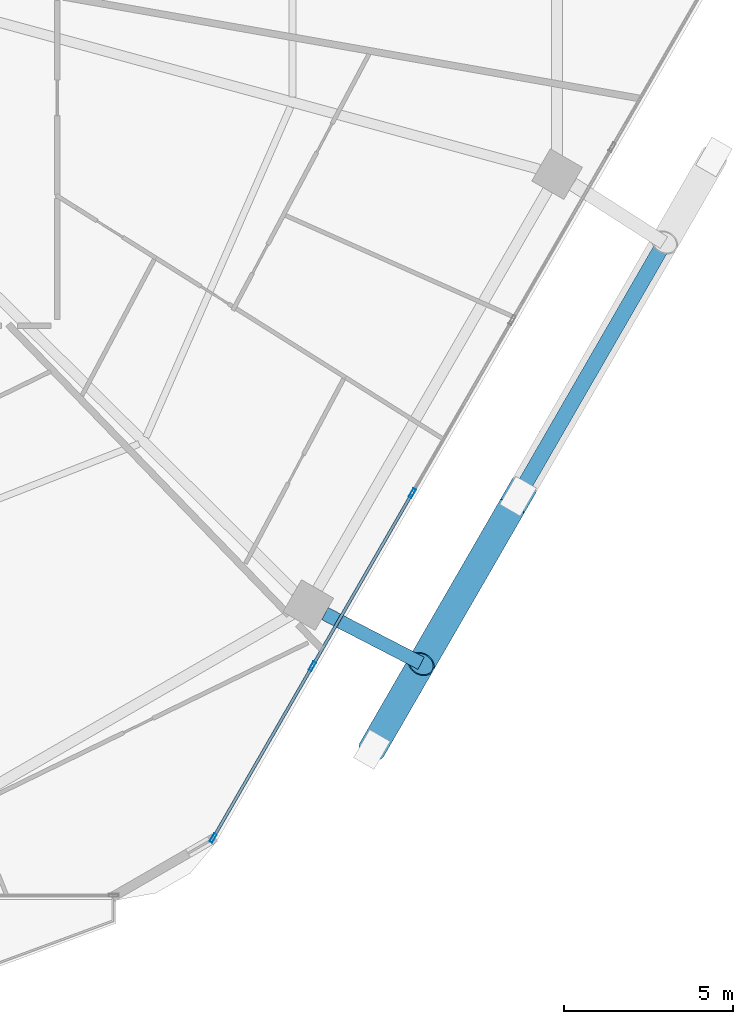
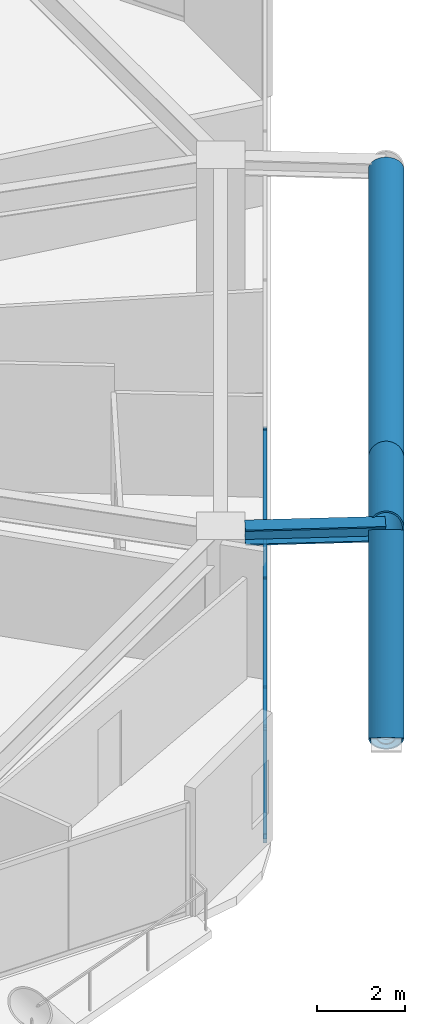
# One storey, part 10 of 35: 11 members, 1 beam, 1 element without a shape of its own.
"""IFC4 building model written with IfcOpenShell, lengths in metres."""

from ifc_helpers import new_model, si_unit, direction, frame, origin, origin_2d, place, context, subcontext, project, spatial, hollow_rectangle, hollow_circle, i_section, extrude, material, material_profile, profile_set, type_object, element, aggregate, save


model = new_model("IFC4")

# Units and contexts
model_context = context("Model", 3, precision=1e-05, world=origin(), true_north=direction((0.0, 1.0)))
body_context = subcontext(model_context, "Body", "Model", "MODEL_VIEW")
ifc_project = project(units=[si_unit("LENGTHUNIT", "METRE"), si_unit("AREAUNIT", "SQUARE_METRE"), si_unit("VOLUMEUNIT", "CUBIC_METRE"), si_unit("PLANEANGLEUNIT", "RADIAN"), si_unit("MASSUNIT", "GRAM", prefix="KILO")], contexts=[model_context])

# Site, building, storey
site_placement = place(None, origin())
site = spatial("IfcSite", under=ifc_project, at=site_placement, CompositionType="ELEMENT")
building_placement = place(site_placement, origin())
building = spatial("IfcBuilding", under=site, at=building_placement, Name="Zuhravey Tower", CompositionType="ELEMENT")
storey_placement = place(building_placement, frame((0.0, 0.0, 138.0)))
storey = spatial("IfcBuildingStorey", under=building, at=storey_placement, Name="L34", CompositionType="ELEMENT", Elevation=138.0)

# Curtain wall, members
ifc_material_1 = material(Name="Thermally broken anodised aluminium", Category="aluminium")
curtain_wall_type = type_object("IfcCurtainWallType", Name="Zone 1-2 Residential Curtain Wall CW3", PredefinedType="NOTDEFINED", material=ifc_material_1)
curtain_wall_placement = place(storey_placement, origin())
curtain_wall = element("IfcCurtainWall", 1, at=curtain_wall_placement, inside=storey, type_object=curtain_wall_type, Name="L34 CW3 CW-L34-F6-1", PredefinedType="NOTDEFINED")
ifc_material_2 = material(Name="Anodised aluminium", Category="aluminium")
ifc_material_profile_1 = material_profile(ifc_material_2, hollow_rectangle(XDim=0.090087890625, YDim=0.284912109375, WallThickness=0.0048828125, at=origin_2d()), Name="ALU-RHS-90x285x5")
ifc_profile_set_1 = profile_set([ifc_material_profile_1], Name="Anodised aluminium")
member_type_1 = type_object("IfcMemberType", Name="Curtain-Wall Mullion 90x180", PredefinedType="MULLION", material=ifc_profile_set_1)
member_1_placement = place(storey_placement, frame((59.598876953125, 14.95751953125, 0.0), z_axis=(0.0, 0.0, 1.0), x_axis=(0.86602552265, -0.499999794119, 0.0)))
member_1 = element("IfcMember", 2, at=member_1_placement, type_object=member_type_1, Name="CW3 mullion 4", PredefinedType="MULLION", context=body_context, shape_type="SweptSolid", body=[
    extrude(hollow_rectangle(XDim=0.090087890625, YDim=0.284912109375, WallThickness=0.0048828125, at=origin_2d()), origin(), (0.0, 0.0, 1.0), 3.1220703125),
])
member_2_placement = place(storey_placement, frame((56.638916015625, 9.830810546875, 0.0), z_axis=(0.0, 0.0, 1.0), x_axis=(0.86602552265, -0.499999794119, 0.0)))
member_2 = element("IfcMember", 3, at=member_2_placement, type_object=member_type_1, Name="CW3 mullion 5", PredefinedType="MULLION", context=body_context, shape_type="SweptSolid", body=[
    extrude(hollow_rectangle(XDim=0.090087890625, YDim=0.284912109375, WallThickness=0.0048828125, at=origin_2d()), origin(), (0.0, 0.0, 1.0), 3.1220703125),
])
member_3_placement = place(storey_placement, frame((53.701416015625, 4.742919921875, 0.0), z_axis=(0.0, 0.0, 1.0), x_axis=(0.86602552265, -0.499999794119, 0.0)))
member_3 = element("IfcMember", 4, at=member_3_placement, type_object=member_type_1, Name="CW3 mullion 6", PredefinedType="MULLION", context=body_context, shape_type="SweptSolid", body=[
    extrude(hollow_rectangle(XDim=0.090087890625, YDim=0.284912109375, WallThickness=0.0048828125, at=origin_2d()), origin(), (0.0, 0.0, 1.0), 3.1220703125),
])
ifc_material_profile_2 = material_profile(ifc_material_2, hollow_rectangle(XDim=0.090087890625, YDim=0.14990234375, WallThickness=0.0048828125, at=origin_2d()), Name="ALU-RHS-90x150x5")
ifc_profile_set_2 = profile_set([ifc_material_profile_2], Name="Anodised aluminium")
member_type_2 = type_object("IfcMemberType", Name="Curtain-Wall Transom 90x150", PredefinedType="USERDEFINED", material=ifc_profile_set_2)
member_4_placement = place(storey_placement, frame((59.576416015625, 14.91845703125, 0.044921875), z_axis=(-0.500012451049, -0.866018215049, 0.0), x_axis=(0.866018215049, -0.500012451049, 0.0)))
member_4 = element("IfcMember", 5, at=member_4_placement, type_object=member_type_2, Name="CW3 transom 4.1", ObjectType="TRANSOM", PredefinedType="USERDEFINED", context=body_context, shape_type="SweptSolid", body=[
    extrude(hollow_rectangle(XDim=0.090087890625, YDim=0.14990234375, WallThickness=0.0048828125, at=origin_2d()), origin(), (0.0, 0.0, 1.0), 5.829833984375),
])
member_5_placement = place(storey_placement, frame((59.576416015625, 14.91845703125, 3.076904296875), z_axis=(-0.500012451049, -0.866018215049, 0.0), x_axis=(0.866018215049, -0.500012451049, 0.0)))
member_5 = element("IfcMember", 6, at=member_5_placement, type_object=member_type_2, Name="CW3 transom 4.2", ObjectType="TRANSOM", PredefinedType="USERDEFINED", context=body_context, shape_type="SweptSolid", body=[
    extrude(hollow_rectangle(XDim=0.090087890625, YDim=0.14990234375, WallThickness=0.0048828125, at=origin_2d()), origin(), (0.0, 0.0, 1.0), 5.829833984375),
])
member_6_placement = place(storey_placement, frame((56.616455078125, 9.791748046875, 0.044921875), z_axis=(-0.499992798144, -0.866029561738, 0.0), x_axis=(0.866029561738, -0.499992798144, 0.0)))
member_6 = element("IfcMember", 7, at=member_6_placement, type_object=member_type_2, Name="CW3 transom 5.1", ObjectType="TRANSOM", PredefinedType="USERDEFINED", context=body_context, shape_type="SweptSolid", body=[
    extrude(hollow_rectangle(XDim=0.090087890625, YDim=0.14990234375, WallThickness=0.0048828125, at=origin_2d()), origin(), (0.0, 0.0, 1.0), 5.78466796875),
])
member_7_placement = place(storey_placement, frame((56.616455078125, 9.791748046875, 3.076904296875), z_axis=(-0.499992798144, -0.866029561738, 0.0), x_axis=(0.866029561738, -0.499992798144, 0.0)))
member_7 = element("IfcMember", 8, at=member_7_placement, type_object=member_type_2, Name="CW3 transom 5.2", ObjectType="TRANSOM", PredefinedType="USERDEFINED", context=body_context, shape_type="SweptSolid", body=[
    extrude(hollow_rectangle(XDim=0.090087890625, YDim=0.14990234375, WallThickness=0.0048828125, at=origin_2d()), origin(), (0.0, 0.0, 1.0), 5.78466796875),
])
aggregate(curtain_wall, [member_1, member_2, member_3, member_4, member_5, member_6, member_7])

# Beam
ifc_material_3 = material(Name="Steel SM460", Category="steel")
ifc_material_profile_3 = material_profile(ifc_material_3, i_section(OverallWidth=0.406982421875, OverallDepth=0.427978515625, WebThickness=0.02001953125, FlangeThickness=0.034912109375, at=origin_2d()), Name="H-428x407x20x35")
ifc_profile_set_3 = profile_set([ifc_material_profile_3], Name="Steel SM460")
beam_type = type_object("IfcBeamType", Name="Exoskeleton Node Tie Beam H428x407", PredefinedType="BEAM", material=ifc_profile_set_3)
beam_placement = place(storey_placement, frame((57.01171875, 11.388427734375, 3.3359375), z_axis=(0.888437298009, -0.458998003816, 0.0), x_axis=(0.458998003816, 0.888437298009, 0.0)))
element("IfcBeam", 9, at=beam_placement, inside=storey, type_object=beam_type, Name="L34 Exoskeleton Node Tie NT1-11", PredefinedType="BEAM", context=body_context, shape_type="SweptSolid", body=[
    extrude(i_section(OverallWidth=0.406982421875, OverallDepth=0.427978515625, WebThickness=0.02001953125, FlangeThickness=0.034912109375, at=origin_2d()), origin(), (0.0, 0.0, 1.0), 3.20458984375),
])

# Members
ifc_material_4 = material(Name="Steel SM355", Category="steel")
ifc_material_profile_4 = material_profile(ifc_material_4, hollow_circle(Radius=0.228515625, WallThickness=0.02197265625, at=origin_2d()), Name="CHS-457.2x22")
ifc_profile_set_4 = profile_set([ifc_material_profile_4], Name="Steel SM355")
member_type_3 = type_object("IfcMemberType", Name="Exoskeleton Ring Tie CHS457x22", PredefinedType="CHORD", material=ifc_profile_set_4)
member_8_placement = place(storey_placement, frame((58.470703125, 7.483154296875, -0.464111328125), z_axis=(0.499987058157, 0.866032875632, 0.0), x_axis=(-0.866032875632, 0.499987058157, 0.0)))
element("IfcMember", 10, at=member_8_placement, inside=storey, type_object=member_type_3, Name="L34 Exoskeleton Face 6 Tie EXR1", PredefinedType="CHORD", context=body_context, shape_type="SweptSolid", body=[
    extrude(hollow_circle(Radius=0.228515625, WallThickness=0.02197265625, at=origin_2d()), origin(), (0.0, 0.0, 1.0), 19.99365234375),
])
ifc_material_profile_5 = material_profile(ifc_material_3, hollow_circle(Radius=0.406494140625, WallThickness=0.035888671875, at=origin_2d()), Name="CHS-812.8x36")
ifc_profile_set_5 = profile_set([ifc_material_profile_5], Name="Steel SM460")
member_type_4 = type_object("IfcMemberType", Name="Exoskeleton Zone 1 Diagrid CHS813x36", PredefinedType="BRACE", material=ifc_profile_set_5)
member_9_placement = place(storey_placement, frame((58.4091796875, 7.376708984375, -0.44189453125), z_axis=(0.306137960083, 0.53030680042, 0.790603723002), x_axis=(-0.866050021655, 0.499957358174, 0.0)))
element("IfcMember", 11, at=member_9_placement, inside=storey, type_object=member_type_4, Name="L34 Face 6 Diagrid Brace 1", PredefinedType="BRACE", context=body_context, shape_type="SweptSolid", body=[
    extrude(hollow_circle(Radius=0.406494140625, WallThickness=0.035888671875, at=origin_2d()), origin(), (0.0, 0.0, 1.0), 4.750732421875),
])
member_10_placement = place(storey_placement, frame((58.4365234375, 7.424072265625, -0.4482421875), z_axis=(0.488388327562, 0.845934815046, 0.214175465901), x_axis=(-0.866030885405, 0.499990505435, 0.0)))
element("IfcMember", 12, at=member_10_placement, inside=storey, type_object=member_type_4, Name="L34 Face 6 Diagrid Brace 2", PredefinedType="BRACE", context=body_context, shape_type="SweptSolid", body=[
    extrude(hollow_circle(Radius=0.406494140625, WallThickness=0.035888671875, at=origin_2d()), origin(), (0.0, 0.0, 1.0), 17.595703125),
])
member_11_placement = place(storey_placement, frame((62.545166015625, 14.54052734375, 1.56103515625), z_axis=(-0.474517901024, -0.82190926832, 0.315115718837), x_axis=(0.866030712881, -0.499990804263, 0.0)))
element("IfcMember", 13, at=member_11_placement, inside=storey, type_object=member_type_4, Name="L34 Face 6 Split Diagrid Brace 3B", PredefinedType="BRACE", context=body_context, shape_type="SweptSolid", body=[
    extrude(hollow_circle(Radius=0.406494140625, WallThickness=0.035888671875, at=origin_2d()), origin(), (0.0, 0.0, 1.0), 5.559814453125),
])

save(model, "model.ifc")
